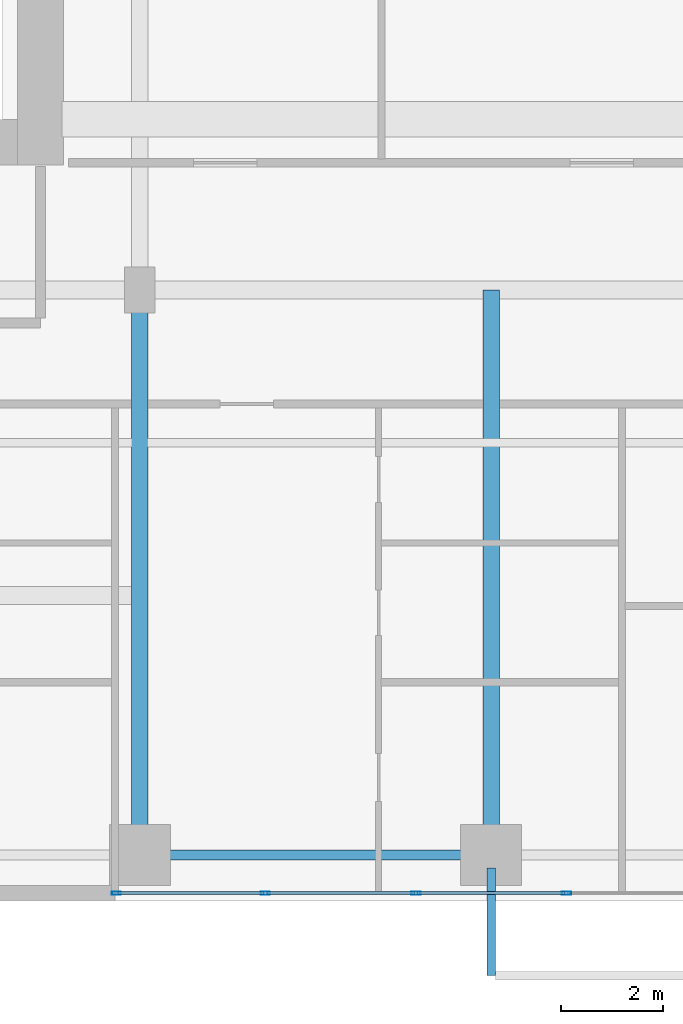
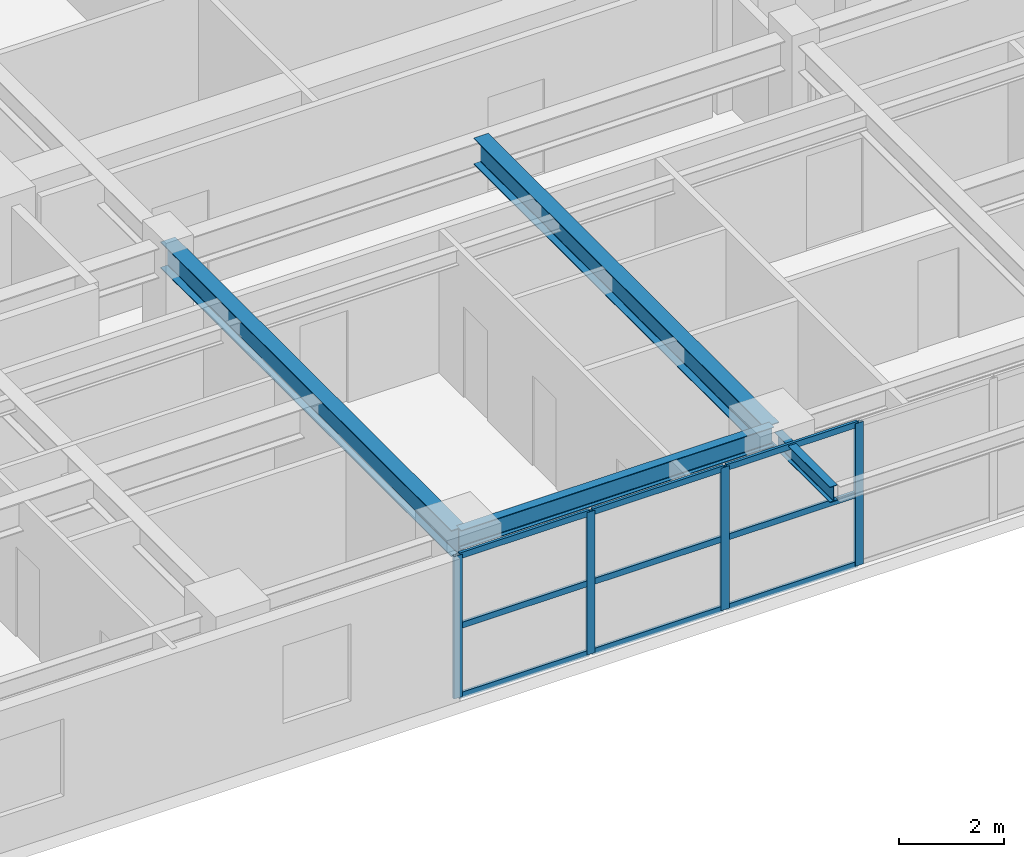
# One storey, part 2 of 24: 13 members, 4 beams, 1 element without a shape of its own.
"""IFC4 building model written with IfcOpenShell, lengths in metres."""

import ifcopenshell
import ifcopenshell.guid

model = None  # the IFC model being written
_history = None  # IfcOwnerHistory: only IFC2X3 demands one
_inside = {}  # id of a spatial element -> (the spatial element, [elements in it])
_under = {}  # id of a project, library or spatial element -> (it, [spatial elements below it])
_declared = {}  # id of a project -> (the project, [libraries it declares])
_typed = {}  # id of a type object -> (the type object, [elements of that type])
_made_of = {}  # id of a material, layer set ... -> (it, [elements and type objects made of it])


def new_model(schema):
    """Start an empty IFC model of exactly this schema.

    Asked for "IFC4X3", IfcOpenShell would pick the latest addendum, in which some entities
    have other attributes; the version numbers below select the first issue.
    IFC2X3 requires an IfcOwnerHistory on every rooted entity: one is made here for all.
    """
    global model, _history
    if schema == "IFC4X3":
        model = ifcopenshell.file(schema_version=(4, 3, 0, 0))
    else:
        model = ifcopenshell.file(schema=schema)
    _inside.clear()
    _under.clear()
    _declared.clear()
    _typed.clear()
    _made_of.clear()
    _history = None
    if model.schema == "IFC2X3":
        org = make("IfcOrganization", Name="unknown")
        user = make(
            "IfcPersonAndOrganization",
            ThePerson=make("IfcPerson", FamilyName="unknown"),
            TheOrganization=org,
        )
        app = make(
            "IfcApplication",
            ApplicationDeveloper=org,
            Version="unknown",
            ApplicationFullName="unknown",
            ApplicationIdentifier="unknown",
        )
        _history = make(
            "IfcOwnerHistory",
            OwningUser=user,
            OwningApplication=app,
            ChangeAction="ADDED",
            CreationDate=0,
        )
    return model


def make(cls, **values):
    """One entity of the class cls with the attributes given. An attribute that is None is left unset."""
    return model.create_entity(
        cls, **{name: value for name, value in values.items() if value is not None}
    )


def rooted(cls, **values):
    """An entity with a GlobalId (a new one), such as an element, a storey or a relation."""
    return make(cls, GlobalId=ifcopenshell.guid.new(), OwnerHistory=_history, **values)


def si_unit(unit_type, name, prefix=None):
    """IfcSIUnit, for example si_unit("LENGTHUNIT", "METRE", prefix="MILLI")."""
    return make("IfcSIUnit", UnitType=unit_type, Prefix=prefix, Name=name)


def assignment(units):
    """IfcUnitAssignment: the units of a project."""
    return None if units is None else make("IfcUnitAssignment", Units=units)


def point(xyz):
    """IfcCartesianPoint."""
    return None if xyz is None else make("IfcCartesianPoint", Coordinates=xyz)


def direction(xyz):
    """IfcDirection."""
    return None if xyz is None else make("IfcDirection", DirectionRatios=xyz)


def frame(location, z_axis=None, x_axis=None):
    """IfcAxis2Placement3D, a coordinate frame: its origin and axes. An axis left out is left unset."""
    return make(
        "IfcAxis2Placement3D",
        Location=point(location),
        Axis=direction(z_axis),
        RefDirection=direction(x_axis),
    )


def frame_2d(location, x_axis=None):
    """IfcAxis2Placement2D, a coordinate frame in the plane: its origin and x axis."""
    return make(
        "IfcAxis2Placement2D", Location=point(location), RefDirection=direction(x_axis)
    )


def origin():
    """The frame at (0, 0, 0) with its axes left unset."""
    return frame((0.0, 0.0, 0.0))


def origin_2d():
    """The frame at (0, 0) in the plane with its x axis left unset."""
    return frame_2d((0.0, 0.0))


def place(relative_to, where):
    """IfcLocalPlacement: puts the frame where relative to a parent placement (None: the world)."""
    return make(
        "IfcLocalPlacement", PlacementRelTo=relative_to, RelativePlacement=where
    )


def context(
    kind, dimensions, precision=None, world=None, true_north=None, identifier=None
):
    """IfcGeometricRepresentationContext, for example the 3D "Model" context."""
    return make(
        "IfcGeometricRepresentationContext",
        ContextIdentifier=identifier,
        ContextType=kind,
        CoordinateSpaceDimension=dimensions,
        Precision=precision,
        WorldCoordinateSystem=world,
        TrueNorth=true_north,
    )


def subcontext(parent, identifier, kind, view, scale=None):
    """IfcGeometricRepresentationSubContext, for example "Body" below "Model"."""
    return make(
        "IfcGeometricRepresentationSubContext",
        ContextIdentifier=identifier,
        ContextType=kind,
        ParentContext=parent,
        TargetScale=scale,
        TargetView=view,
    )


def project(units=None, contexts=None):
    """IfcProject with its units and contexts."""
    return rooted(
        "IfcProject",
        Name="project",
        RepresentationContexts=contexts,
        UnitsInContext=assignment(units),
    )


def spatial(cls, under=None, at=None, **own):
    """A site, building, storey or space (cls), placed at a placement, below another one or the project."""
    s = rooted(cls, ObjectPlacement=at, **own)
    if under is not None:
        _under.setdefault(under.id(), (under, []))[1].append(s)
    return s


def profile(cls, at=None, kind="AREA", **sizes):
    """A parametric profile (cls). Its sizes go by their IFC names, for example OverallWidth=200.0."""
    return make(cls, ProfileType=kind, Position=at, **sizes)


def hollow_rectangle(**sizes):
    """IfcRectangleHollowProfileDef."""
    return profile("IfcRectangleHollowProfileDef", **sizes)


def i_section(**sizes):
    """IfcIShapeProfileDef."""
    return profile("IfcIShapeProfileDef", **sizes)


def extrude(swept, where, along, depth):
    """IfcExtrudedAreaSolid: the profile swept, set in the frame where, extruded along a direction by depth."""
    return make(
        "IfcExtrudedAreaSolid",
        SweptArea=swept,
        Position=where,
        ExtrudedDirection=direction(along),
        Depth=depth,
    )


def shape(context_of_items, identifier, shape_type, items):
    """IfcShapeRepresentation: the items that make up one representation, for example the "Body"."""
    return make(
        "IfcShapeRepresentation",
        ContextOfItems=context_of_items,
        RepresentationIdentifier=identifier,
        RepresentationType=shape_type,
        Items=items,
    )


def source(mapping_origin, context_of_items, identifier, shape_type, items):
    """IfcRepresentationMap: a shape defined once, which mapped items show again and again."""
    return make(
        "IfcRepresentationMap",
        MappingOrigin=mapping_origin,
        MappedRepresentation=shape(context_of_items, identifier, shape_type, items),
    )


def transform(
    local_origin,
    x_axis=None,
    y_axis=None,
    z_axis=None,
    scale=None,
    scale2=None,
    scale3=None,
    uniform=True,
):
    """IfcCartesianTransformationOperator3D, or its non-uniform kind. x_axis, y_axis, z_axis: its Axis1, 2, 3."""
    if uniform:
        return make(
            "IfcCartesianTransformationOperator3D",
            Axis1=direction(x_axis),
            Axis2=direction(y_axis),
            LocalOrigin=point(local_origin),
            Scale=scale,
            Axis3=direction(z_axis),
        )
    return make(
        "IfcCartesianTransformationOperator3DnonUniform",
        Axis1=direction(x_axis),
        Axis2=direction(y_axis),
        LocalOrigin=point(local_origin),
        Scale=scale,
        Axis3=direction(z_axis),
        Scale2=scale2,
        Scale3=scale3,
    )


def mapped(mapping_source, mapping_target):
    """IfcMappedItem: shows the shape of a source again, moved by a transform."""
    return make(
        "IfcMappedItem", MappingSource=mapping_source, MappingTarget=mapping_target
    )


def material(Name=None, Category=None):
    """IfcMaterial."""
    return make("IfcMaterial", Name=Name, Category=Category)


def layer(
    of_material, thickness, ventilated=None, Name=None, Category=None, Priority=None
):
    """IfcMaterialLayer: one layer of a wall or slab, of a material (None: an air gap)."""
    return make(
        "IfcMaterialLayer",
        Material=of_material,
        LayerThickness=thickness,
        IsVentilated=ventilated,
        Name=Name,
        Category=Category,
        Priority=Priority,
    )


def layer_set(layers, Name=None):
    """IfcMaterialLayerSet."""
    return make("IfcMaterialLayerSet", MaterialLayers=layers, LayerSetName=Name)


def material_profile(
    of_material, cross_section, Name=None, Category=None, Priority=None
):
    """IfcMaterialProfile: a cross section and its material."""
    return make(
        "IfcMaterialProfile",
        Name=Name,
        Material=of_material,
        Profile=cross_section,
        Priority=Priority,
        Category=Category,
    )


def profile_set(profiles, Name=None, composite=None):
    """IfcMaterialProfileSet."""
    return make(
        "IfcMaterialProfileSet",
        Name=Name,
        MaterialProfiles=profiles,
        CompositeProfile=composite,
    )


def made_of(thing, what):
    """Note that an element or type object is made of a material, layer set ...; save() writes the relation."""
    if what is not None:
        _made_of.setdefault(what.id(), (what, []))[1].append(thing)
    return thing


def type_object(cls, material=None, **own):
    """A type object (cls), such as IfcWallType, which elements share."""
    return made_of(rooted(cls, **own), material)


def element(
    cls,
    number,
    at=None,
    inside=None,
    cuts=None,
    type_object=None,
    material=None,
    context=None,
    identifier="Body",
    shape_type=None,
    held_by="IfcProductDefinitionShape",
    body=None,
    shapes=None,
    **own,
):
    """One element of the class cls, such as IfcWall. Its Tag is "e" and its number.

    at: its placement. inside: the storey or other place that contains it. cuts: it is an
    opening in that element (IfcRelVoidsElement). A single representation is given by context,
    identifier, shape_type and body (its items); several are given by shapes. held_by: the class
    of the entity that holds the representations. save() writes the other relations.
    """
    e = rooted(cls, Tag="e%d" % number, ObjectPlacement=at, **own)
    if body is not None:
        shapes = [shape(context, identifier, shape_type, body)]
    if shapes is not None:
        e.Representation = make(held_by, Representations=shapes)
    if inside is not None:
        _inside.setdefault(inside.id(), (inside, []))[1].append(e)
    if cuts is not None:
        rooted(
            "IfcRelVoidsElement", RelatingBuildingElement=cuts, RelatedOpeningElement=e
        )
    if type_object is not None:
        _typed.setdefault(type_object.id(), (type_object, []))[1].append(e)
    return made_of(e, material)


def aggregate(whole, parts):
    """IfcRelAggregates: a whole, such as a stair, and the parts it consists of."""
    return rooted("IfcRelAggregates", RelatingObject=whole, RelatedObjects=parts)


def save(model, path):
    """Write the relations noted so far, then the file.

    IfcRelAggregates (storeys below a building ...), IfcRelContainedInSpatialStructure (elements
    in a storey), IfcRelDefinesByType, IfcRelAssociatesMaterial and IfcRelDeclares: one each for
    every whole, place, type object, material and project.
    """
    for whole, parts in _under.values():
        aggregate(whole, parts)
    for where, things in _inside.values():
        rooted(
            "IfcRelContainedInSpatialStructure",
            RelatedElements=things,
            RelatingStructure=where,
        )
    for kind, things in _typed.values():
        rooted("IfcRelDefinesByType", RelatedObjects=things, RelatingType=kind)
    for what, things in _made_of.values():
        rooted("IfcRelAssociatesMaterial", RelatedObjects=things, RelatingMaterial=what)
    for by, libraries in _declared.values():
        rooted("IfcRelDeclares", RelatingContext=by, RelatedDefinitions=libraries)
    model.write(path)


model = new_model("IFC4")

# Units and contexts
model_context = context("Model", 3, precision=1e-05, world=origin(), true_north=direction((0.0, 1.0)))
body_context = subcontext(model_context, "Body", "Model", "MODEL_VIEW")
ifc_project = project(units=[si_unit("LENGTHUNIT", "METRE"), si_unit("AREAUNIT", "SQUARE_METRE"), si_unit("VOLUMEUNIT", "CUBIC_METRE"), si_unit("PLANEANGLEUNIT", "RADIAN"), si_unit("MASSUNIT", "GRAM", prefix="KILO")], contexts=[model_context])

# Site, building, storey
site_placement = place(None, origin())
site = spatial("IfcSite", under=ifc_project, at=site_placement, CompositionType="ELEMENT")
building_placement = place(site_placement, origin())
building = spatial("IfcBuilding", under=site, at=building_placement, Name="Khoralis Quay Care Tower", CompositionType="ELEMENT")
storey_placement = place(building_placement, frame((0.0, 0.0, 54.89990234375)))
storey = spatial("IfcBuildingStorey", under=building, at=storey_placement, Name="L14", CompositionType="ELEMENT", Elevation=54.89990234375)

# Beams
ifc_material_1 = material(Name="Steel S355", Category="steel")
ifc_material_profile_1 = material_profile(ifc_material_1, i_section(OverallWidth=0.18994140625, OverallDepth=0.449951171875, WebThickness=0.009521484375, FlangeThickness=0.0146484375, FilletRadius=0.02099609375, at=origin_2d()), Name="Steel S355")
ifc_profile_set_1 = profile_set([ifc_material_profile_1], Name="Steel S355")
beam_type_1 = type_object("IfcBeamType", Name="BM-IPE450", PredefinedType="SPANDREL", material=ifc_profile_set_1)
shared_shape_1 = source(origin(), body_context, "Body", "SweptSolid", [
    extrude(i_section(OverallWidth=0.18994140625, OverallDepth=0.449951171875, WebThickness=0.009521484375, FlangeThickness=0.0146484375, FilletRadius=0.02099609375, at=origin_2d()), origin(), (0.0, 0.0, 1.0), 6.89990234375),
])
beam_1_placement = place(storey_placement, frame((17.10009765625, 0.89990234375, 3.09521484375), z_axis=(1.0, 0.0, 0.0), x_axis=(0.0, 1.0, 0.0)))
element("IfcBeam", 1, at=beam_1_placement, inside=storey, type_object=beam_type_1, Name="BM-TSP-L14-03", PredefinedType="SPANDREL", context=body_context, shape_type="MappedRepresentation", body=[
    mapped(shared_shape_1, transform((0.0, 0.0, 0.0), scale=1.0)),
])
ifc_material_profile_2 = material_profile(ifc_material_1, i_section(OverallWidth=0.324951171875, OverallDepth=0.615966796875, WebThickness=0.013916015625, FlangeThickness=0.021484375, FilletRadius=0.01806640625, at=origin_2d()), Name="Steel S355")
ifc_profile_set_2 = profile_set([ifc_material_profile_2], Name="Steel S355")
beam_type_2 = type_object("IfcBeamType", Name="BM-W610X174", PredefinedType="BEAM", material=ifc_profile_set_2)
shared_shape_2 = source(origin(), body_context, "Body", "SweptSolid", [
    extrude(i_section(OverallWidth=0.324951171875, OverallDepth=0.615966796875, WebThickness=0.013916015625, FlangeThickness=0.021484375, FilletRadius=0.01806640625, at=origin_2d()), origin(), (0.0, 0.0, 1.0), 11.10009765625),
])
for number, where, z_axis, x_axis, name in (
    (2, (17.10009765625, 0.89990234375, 3.01220703125), (0.0, 1.0, 0.0), (-1.0, 0.0, 0.0), "BM-TGYS-L14-171"),
    (3, (24.0, 0.89990234375, 3.01220703125), (0.0, 1.0, 0.0), (-1.0, 0.0, 0.0), "BM-TGYS-L14-240"),
):
    element("IfcBeam", number, at=place(storey_placement, frame(where, z_axis=z_axis, x_axis=x_axis)), inside=storey, type_object=beam_type_2, Name=name, PredefinedType="BEAM", context=body_context, shape_type="MappedRepresentation", body=[
        mapped(shared_shape_2, transform((0.0, 0.0, 0.0), scale=1.0)),
    ])

# Curtain wall, members
ifc_material_2 = material(Name="Pale anodised aluminium", Category="aluminium")
ifc_layer = layer(ifc_material_2, 0.179931640625)
ifc_layer_set = layer_set([ifc_layer], Name="Pale anodised aluminium")
curtain_wall_type = type_object("IfcCurtainWallType", Name="CW-SYS-Z1", PredefinedType="NOTDEFINED", material=ifc_layer_set)
curtain_wall_placement = place(storey_placement, origin())
curtain_wall = element("IfcCurtainWall", 4, at=curtain_wall_placement, inside=storey, type_object=curtain_wall_type, Name="L14 Unitised Curtain Wall CW-L14-P1-E0", PredefinedType="NOTDEFINED")
ifc_material_profile_3 = material_profile(ifc_material_2, hollow_rectangle(XDim=0.06494140625, YDim=0.179931640625, WallThickness=0.00390625, at=origin_2d()), Name="Pale anodised aluminium")
ifc_profile_set_3 = profile_set([ifc_material_profile_3], Name="Pale anodised aluminium")
member_type_1 = type_object("IfcMemberType", Name="CW-MUL-180", PredefinedType="MULLION", material=ifc_profile_set_3)
shared_shape_3 = source(origin(), body_context, "Body", "SweptSolid", [
    extrude(hollow_rectangle(XDim=0.06494140625, YDim=0.179931640625, WallThickness=0.00390625, at=origin_2d()), origin(), (0.0, 0.0, 1.0), 3.320068359375),
])
member_1_placement = place(storey_placement, frame((16.639892578125, 0.14990234375, 0.0), z_axis=(0.0, 0.0, 1.0), x_axis=(0.0, 1.0, 0.0)))
member_1 = element("IfcMember", 5, at=member_1_placement, type_object=member_type_1, Name="CW1 mullion 1", PredefinedType="MULLION", context=body_context, shape_type="MappedRepresentation", body=[
    mapped(shared_shape_3, transform((0.0, 0.0, 0.0), scale=1.0)),
])
member_2_placement = place(storey_placement, frame((19.566650390625, 0.14990234375, 0.0), z_axis=(0.0, 0.0, 1.0), x_axis=(0.0, 1.0, 0.0)))
member_2 = element("IfcMember", 6, at=member_2_placement, type_object=member_type_1, Name="CW1 mullion 2", PredefinedType="MULLION", context=body_context, shape_type="MappedRepresentation", body=[
    mapped(shared_shape_3, transform((0.0, 0.0, 0.0), scale=1.0)),
])
member_3_placement = place(storey_placement, frame((22.5234375, 0.14990234375, 0.0), z_axis=(0.0, 0.0, 1.0), x_axis=(0.0, 1.0, 0.0)))
member_3 = element("IfcMember", 7, at=member_3_placement, type_object=member_type_1, Name="CW1 mullion 3", PredefinedType="MULLION", context=body_context, shape_type="MappedRepresentation", body=[
    mapped(shared_shape_3, transform((0.0, 0.0, 0.0), scale=1.0)),
])
member_4_placement = place(storey_placement, frame((25.47998046875, 0.14990234375, 0.0), z_axis=(0.0, 0.0, 1.0), x_axis=(0.0, 1.0, 0.0)))
member_4 = element("IfcMember", 8, at=member_4_placement, type_object=member_type_1, Name="CW1 mullion 4", PredefinedType="MULLION", context=body_context, shape_type="MappedRepresentation", body=[
    mapped(shared_shape_3, transform((0.0, 0.0, 0.0), scale=1.0)),
])

# Beam
ifc_material_profile_4 = material_profile(ifc_material_1, i_section(OverallWidth=0.169921875, OverallDepth=0.360107421875, WebThickness=0.008056640625, FlangeThickness=0.0126953125, FilletRadius=0.01806640625, at=origin_2d()), Name="Steel S355")
ifc_profile_set_4 = profile_set([ifc_material_profile_4], Name="Steel S355")
beam_type_3 = type_object("IfcBeamType", Name="BM-IPE360", PredefinedType="SPANDREL", material=ifc_profile_set_4)
shared_shape_4 = source(origin(), body_context, "Body", "SweptSolid", [
    extrude(i_section(OverallWidth=0.169921875, OverallDepth=0.360107421875, WebThickness=0.008056640625, FlangeThickness=0.0126953125, FilletRadius=0.01806640625, at=origin_2d()), origin(), (0.0, 0.0, 1.0), 2.119873046875),
])
beam_2_placement = place(storey_placement, frame((24.0, 0.64990234375, 3.14404296875), z_axis=(0.0, -1.0, 0.0), x_axis=(1.0, 0.0, 0.0)))
element("IfcBeam", 9, at=beam_2_placement, inside=storey, type_object=beam_type_3, Name="L15 Balcony Cantilever Outrigger Beam 1", PredefinedType="SPANDREL", context=body_context, shape_type="MappedRepresentation", body=[
    mapped(shared_shape_4, transform((0.0, 0.0, 0.0), scale=1.0)),
])

# Member
ifc_material_profile_5 = material_profile(ifc_material_2, hollow_rectangle(XDim=0.06005859375, YDim=0.139892578125, WallThickness=0.00390625, at=origin_2d()), Name="Pale anodised aluminium")
ifc_profile_set_5 = profile_set([ifc_material_profile_5], Name="Pale anodised aluminium")
member_type_2 = type_object("IfcMemberType", Name="CW-TRN-140", PredefinedType="USERDEFINED", material=ifc_profile_set_5)
shared_shape_5 = source(origin(), body_context, "Body", "SweptSolid", [
    extrude(hollow_rectangle(XDim=0.06005859375, YDim=0.139892578125, WallThickness=0.00390625, at=origin_2d()), origin(), (0.0, 0.0, 1.0), 2.86669921875),
])
member_5_placement = place(storey_placement, frame((16.669921875, 0.14990234375, 0.030029296875), z_axis=(1.0, 0.0, 0.0), x_axis=(0.0, 1.0, 0.0)))
member_5 = element("IfcMember", 10, at=member_5_placement, type_object=member_type_2, Name="CW1 transom 1.1", ObjectType="TRANSOM", PredefinedType="USERDEFINED", context=body_context, shape_type="MappedRepresentation", body=[
    mapped(shared_shape_5, transform((0.0, 0.0, 0.0), scale=1.0)),
])

member_6_placement = place(storey_placement, frame((16.669921875, 0.14990234375, 1.66015625), z_axis=(1.0, 0.0, 0.0), x_axis=(0.0, 1.0, 0.0)))
member_6 = element("IfcMember", 11, at=member_6_placement, type_object=member_type_2, Name="CW1 transom 1.2", ObjectType="TRANSOM", PredefinedType="USERDEFINED", context=body_context, shape_type="MappedRepresentation", body=[
    mapped(shared_shape_5, transform((0.0, 0.0, 0.0), scale=1.0)),
])

member_7_placement = place(storey_placement, frame((16.669921875, 0.14990234375, 3.2900390625), z_axis=(1.0, 0.0, 0.0), x_axis=(0.0, 1.0, 0.0)))
member_7 = element("IfcMember", 12, at=member_7_placement, type_object=member_type_2, Name="CW1 transom 1.3", ObjectType="TRANSOM", PredefinedType="USERDEFINED", context=body_context, shape_type="MappedRepresentation", body=[
    mapped(shared_shape_5, transform((0.0, 0.0, 0.0), scale=1.0)),
])

shared_shape_6 = source(origin(), body_context, "Body", "SweptSolid", [
    extrude(hollow_rectangle(XDim=0.06005859375, YDim=0.139892578125, WallThickness=0.00390625, at=origin_2d()), origin(), (0.0, 0.0, 1.0), 2.896728515625),
])
member_8_placement = place(storey_placement, frame((19.5966796875, 0.14990234375, 0.030029296875), z_axis=(1.0, 0.0, 0.0), x_axis=(0.0, 1.0, 0.0)))
member_8 = element("IfcMember", 13, at=member_8_placement, type_object=member_type_2, Name="CW1 transom 2.1", ObjectType="TRANSOM", PredefinedType="USERDEFINED", context=body_context, shape_type="MappedRepresentation", body=[
    mapped(shared_shape_6, transform((0.0, 0.0, 0.0), scale=1.0)),
])

member_9_placement = place(storey_placement, frame((19.5966796875, 0.14990234375, 1.66015625), z_axis=(1.0, 0.0, 0.0), x_axis=(0.0, 1.0, 0.0)))
member_9 = element("IfcMember", 14, at=member_9_placement, type_object=member_type_2, Name="CW1 transom 2.2", ObjectType="TRANSOM", PredefinedType="USERDEFINED", context=body_context, shape_type="MappedRepresentation", body=[
    mapped(shared_shape_6, transform((0.0, 0.0, 0.0), scale=1.0)),
])

member_10_placement = place(storey_placement, frame((19.5966796875, 0.14990234375, 3.2900390625), z_axis=(1.0, 0.0, 0.0), x_axis=(0.0, 1.0, 0.0)))
member_10 = element("IfcMember", 15, at=member_10_placement, type_object=member_type_2, Name="CW1 transom 2.3", ObjectType="TRANSOM", PredefinedType="USERDEFINED", context=body_context, shape_type="MappedRepresentation", body=[
    mapped(shared_shape_6, transform((0.0, 0.0, 0.0), scale=1.0)),
])

member_11_placement = place(storey_placement, frame((22.55322265625, 0.14990234375, 0.030029296875), z_axis=(1.0, 0.0, 0.0), x_axis=(0.0, 1.0, 0.0)))
member_11 = element("IfcMember", 16, at=member_11_placement, type_object=member_type_2, Name="CW1 transom 3.1", ObjectType="TRANSOM", PredefinedType="USERDEFINED", context=body_context, shape_type="MappedRepresentation", body=[
    mapped(shared_shape_6, transform((0.0, 0.0, 0.0), scale=1.0)),
])

member_12_placement = place(storey_placement, frame((22.55322265625, 0.14990234375, 1.66015625), z_axis=(1.0, 0.0, 0.0), x_axis=(0.0, 1.0, 0.0)))
member_12 = element("IfcMember", 17, at=member_12_placement, type_object=member_type_2, Name="CW1 transom 3.2", ObjectType="TRANSOM", PredefinedType="USERDEFINED", context=body_context, shape_type="MappedRepresentation", body=[
    mapped(shared_shape_6, transform((0.0, 0.0, 0.0), scale=1.0)),
])

member_13_placement = place(storey_placement, frame((22.55322265625, 0.14990234375, 3.2900390625), z_axis=(1.0, 0.0, 0.0), x_axis=(0.0, 1.0, 0.0)))
member_13 = element("IfcMember", 18, at=member_13_placement, type_object=member_type_2, Name="CW1 transom 3.3", ObjectType="TRANSOM", PredefinedType="USERDEFINED", context=body_context, shape_type="MappedRepresentation", body=[
    mapped(shared_shape_6, transform((0.0, 0.0, 0.0), scale=1.0)),
])

aggregate(curtain_wall, [member_1, member_2, member_3, member_4, member_5, member_6, member_7, member_8, member_9, member_10, member_11, member_12, member_13])

save(model, "model.ifc")
